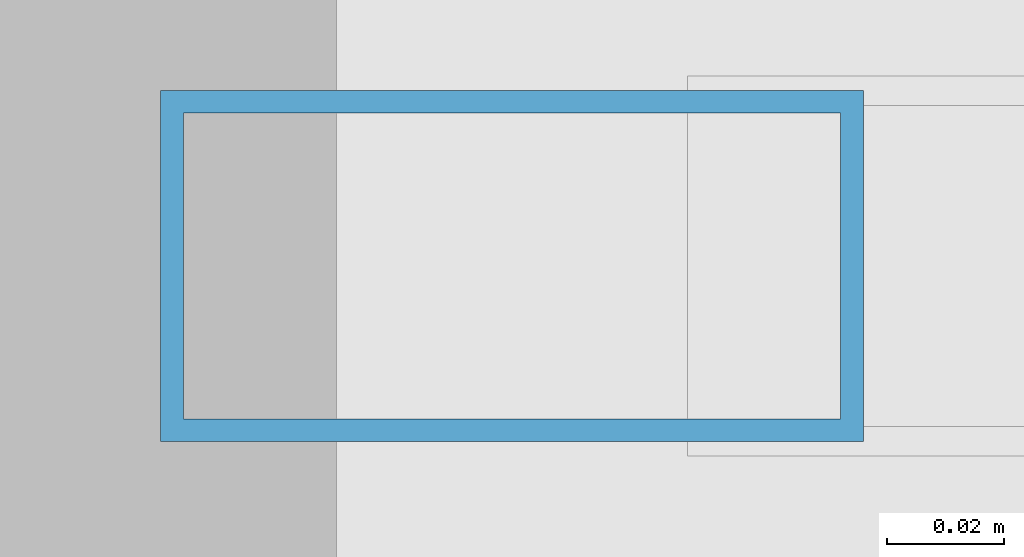
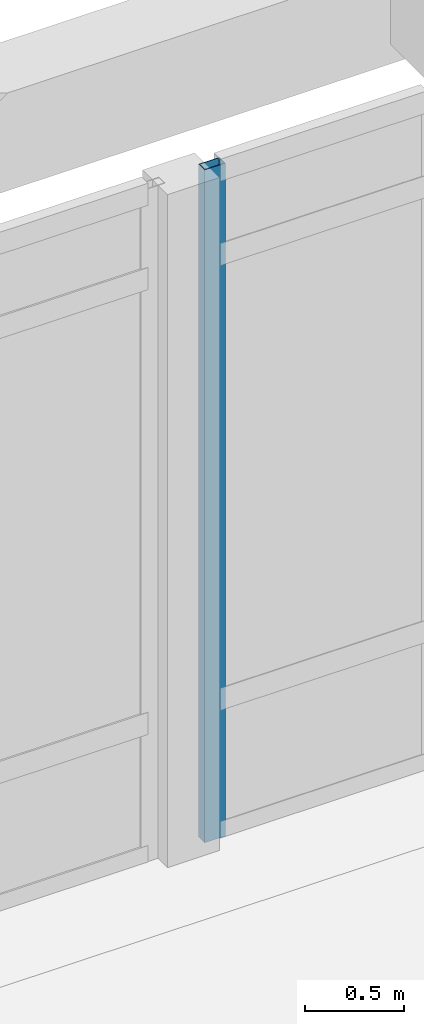
# One storey, part 58 of 138: 1 member, 1 element without a shape of its own.
"""IFC4 building model written with IfcOpenShell, lengths in metres."""

from ifc_helpers import new_model, si_unit, direction, frame, origin, origin_2d, place, context, subcontext, project, spatial, hollow_rectangle, extrude, material, layer, layer_set, material_profile, profile_set, type_object, element, aggregate, save


model = new_model("IFC4")

# Units and contexts
model_context = context("Model", 3, precision=1e-05, world=origin(), true_north=direction((0.0, 1.0)))
body_context = subcontext(model_context, "Body", "Model", "MODEL_VIEW")
ifc_project = project(units=[si_unit("LENGTHUNIT", "METRE"), si_unit("AREAUNIT", "SQUARE_METRE"), si_unit("VOLUMEUNIT", "CUBIC_METRE"), si_unit("PLANEANGLEUNIT", "RADIAN"), si_unit("MASSUNIT", "GRAM", prefix="KILO")], contexts=[model_context])

# Site, building, storey
site_placement = place(None, origin())
site = spatial("IfcSite", under=ifc_project, at=site_placement, CompositionType="ELEMENT")
building_placement = place(site_placement, origin())
building = spatial("IfcBuilding", under=site, at=building_placement, Name="Fikremerkos Civic Library", CompositionType="ELEMENT")
storey_placement = place(building_placement, origin())
storey = spatial("IfcBuildingStorey", under=building, at=storey_placement, Name="L00", CompositionType="ELEMENT", Elevation=0.0)

# Curtain wall, member
ifc_material = material(Name="Anodized aluminium Frame", Category="aluminium")
ifc_layer = layer(ifc_material, 0.159912109375, Name="Anodized aluminium Frame")
ifc_layer_set = layer_set([ifc_layer], Name="Anodized aluminium Frame")
curtain_wall_type = type_object("IfcCurtainWallType", Name="Unitised curtain wall CW-12 4300x3400", PredefinedType="USERDEFINED", material=ifc_layer_set)
curtain_wall_placement = place(storey_placement, origin())
curtain_wall = element("IfcCurtainWall", 1, at=curtain_wall_placement, inside=storey, type_object=curtain_wall_type, Name="Unitised curtain wall CW-12 L00 #48", ObjectType="UNITISED CURTAIN WALL", PredefinedType="USERDEFINED")
ifc_material_profile = material_profile(ifc_material, hollow_rectangle(XDim=0.06005859375, YDim=0.1201171875, WallThickness=0.00390625, at=origin_2d()), Name="ALU 120x60x4")
ifc_profile_set = profile_set([ifc_material_profile], Name="Anodized aluminium Frame")
member_type = type_object("IfcMemberType", Name="Curtain mullion CWM-04 ALU 120x60x4", PredefinedType="MULLION", material=ifc_profile_set)
member_placement = place(storey_placement, frame((95.763916015625, 117.60009765625, 0.0), z_axis=(0.0, 0.0, 1.0), x_axis=(0.0, 1.0, 0.0)))
member = element("IfcMember", 2, at=member_placement, type_object=member_type, Name="CW-12 mullion 1", PredefinedType="MULLION", context=body_context, shape_type="SweptSolid", body=[
    extrude(hollow_rectangle(XDim=0.06005859375, YDim=0.1201171875, WallThickness=0.00390625, at=origin_2d()), origin(), (0.0, 0.0, 1.0), 4.1298828125),
])
aggregate(curtain_wall, [member])

save(model, "model.ifc")
